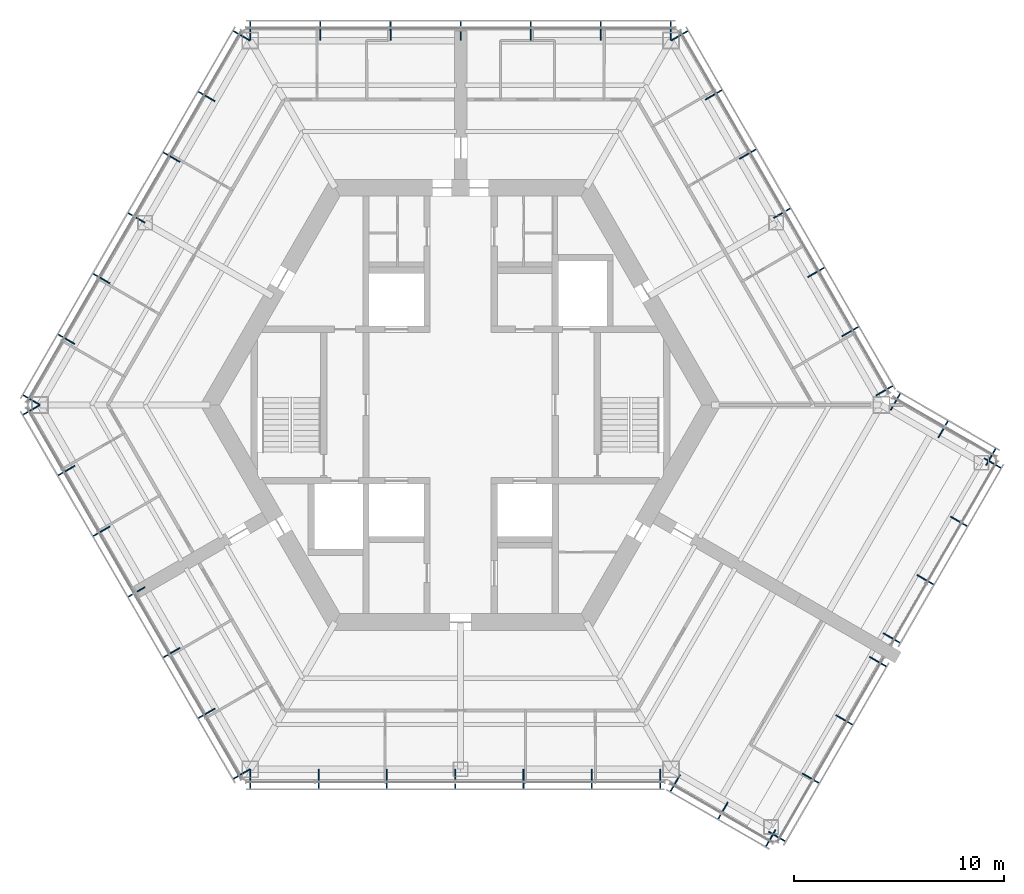
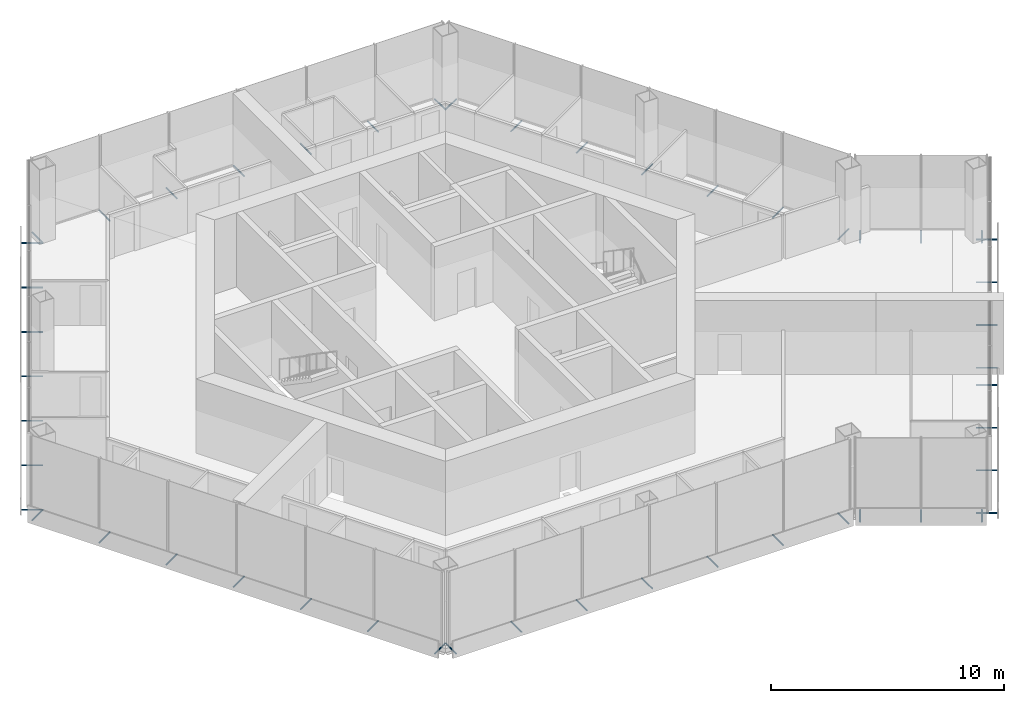
# One storey, part 11 of 13: 49 discrete accessories.
"""IFC4 building model written with IfcOpenShell, lengths in metres."""

from ifc_helpers import new_model, si_unit, direction, frame, origin, origin_2d, place, context, subcontext, project, spatial, hollow_circle, extrude, material, material_profile, profile_set, type_object, element, save


model = new_model("IFC4")

# Units and contexts
model_context = context("Model", 3, precision=1e-05, world=origin(), true_north=direction((0.0, 1.0)))
body_context = subcontext(model_context, "Body", "Model", "MODEL_VIEW")
ifc_project = project(units=[si_unit("LENGTHUNIT", "METRE"), si_unit("AREAUNIT", "SQUARE_METRE"), si_unit("VOLUMEUNIT", "CUBIC_METRE"), si_unit("PLANEANGLEUNIT", "RADIAN"), si_unit("MASSUNIT", "GRAM", prefix="KILO")], contexts=[model_context])

# Site, building, storey
site_placement = place(None, origin())
site = spatial("IfcSite", under=ifc_project, at=site_placement, CompositionType="ELEMENT")
building_placement = place(site_placement, origin())
building = spatial("IfcBuilding", under=site, at=building_placement, Name="Kasaneha Research Tower", CompositionType="ELEMENT")
storey_placement = place(building_placement, frame((0.0, 0.0, 298.60009765625)))
storey = spatial("IfcBuildingStorey", under=building, at=storey_placement, Name="L75", CompositionType="ELEMENT", Elevation=298.60009765625)

# Discrete accessories
ifc_material = material(Name="Steel STK400", Category="steel")
ifc_material_profile = material_profile(ifc_material, hollow_circle(Radius=0.0380859375, WallThickness=0.00390625, at=origin_2d()), Name="CHS-76.3x4.0")
ifc_profile_set = profile_set([ifc_material_profile], Name="Steel STK400")
discrete_accessory_type = type_object("IfcDiscreteAccessoryType", Name="Screen bracket CHS-76.3x4.0", PredefinedType="BRACKET", material=ifc_profile_set)
for number, where, z_axis, x_axis, name in (
    (1, (19.74462890625, 0.4423828125, -0.300048828125), (0.866013213425, 0.500021113727, 0.0), (-0.500021113727, 0.866013213425, 0.0), "Screen bracket 1"),
    (2, (18.120849609375, 3.2548828125, -0.300048828125), (0.866013213425, 0.500021113727, 0.0), (-0.500021113727, 0.866013213425, 0.0), "Screen bracket 2"),
    (3, (16.4970703125, 6.0673828125, -0.300048828125), (0.866013213425, 0.500021113727, 0.0), (-0.500021113727, 0.866013213425, 0.0), "Screen bracket 3"),
    (4, (14.873291015625, 8.8798828125, -0.300048828125), (0.866013213425, 0.500021113727, 0.0), (-0.500021113727, 0.866013213425, 0.0), "Screen bracket 4"),
    (5, (13.24951171875, 11.6923828125, -0.300048828125), (0.866013213425, 0.500021113727, 0.0), (-0.500021113727, 0.866013213425, 0.0), "Screen bracket 5"),
):
    element("IfcDiscreteAccessory", number, at=place(storey_placement, frame(where, z_axis=z_axis, x_axis=x_axis)), inside=storey, type_object=discrete_accessory_type, Name=name, PredefinedType="BRACKET", context=body_context, shape_type="SweptSolid", body=[
        extrude(hollow_circle(Radius=0.0380859375, WallThickness=0.00390625, at=origin_2d()), origin(), (0.0, 0.0, 1.0), 0.919921875),
    ])
for number, where, z_axis, x_axis, name in (
    (6, (11.62548828125, 14.5048828125, -0.300048828125), (0.866079547155, 0.499906209203, 0.0), (-0.499906209203, 0.866079547155, 0.0), "Screen bracket 6"),
    (7, (10.001708984375, 17.3173828125, -0.300048828125), (0.866079547155, 0.499906209203, 0.0), (-0.499906209203, 0.866079547155, 0.0), "Screen bracket 7"),
):
    element("IfcDiscreteAccessory", number, at=place(storey_placement, frame(where, z_axis=z_axis, x_axis=x_axis)), inside=storey, type_object=discrete_accessory_type, Name=name, PredefinedType="BRACKET", context=body_context, shape_type="SweptSolid", body=[
        extrude(hollow_circle(Radius=0.0380859375, WallThickness=0.00390625, at=origin_2d()), origin(), (0.0, 0.0, 1.0), 0.920166015625),
    ])
for number, where, z_axis, x_axis, name in (
    (8, (9.996337890625, 17.320556640625, -0.300048828125), (0.0, 1.0, 0.0), (-1.0, 0.0, 0.0), "Screen bracket 1"),
    (9, (6.664306640625, 17.320556640625, -0.300048828125), (0.0, 1.0, 0.0), (-1.0, 0.0, 0.0), "Screen bracket 2"),
    (10, (3.33203125, 17.320556640625, -0.300048828125), (0.0, 1.0, 0.0), (-1.0, 0.0, 0.0), "Screen bracket 3"),
    (11, (0.0, 17.320556640625, -0.300048828125), (0.0, 1.0, 0.0), (-1.0, 0.0, 0.0), "Screen bracket 4"),
    (12, (-3.33203125, 17.320556640625, -0.300048828125), (0.0, 1.0, 0.0), (-1.0, 0.0, 0.0), "Screen bracket 5"),
    (13, (-6.664306640625, 17.320556640625, -0.300048828125), (0.0, 1.0, 0.0), (-1.0, 0.0, 0.0), "Screen bracket 6"),
    (14, (-9.996337890625, 17.320556640625, -0.300048828125), (0.0, 1.0, 0.0), (-1.0, 0.0, 0.0), "Screen bracket 7"),
):
    element("IfcDiscreteAccessory", number, at=place(storey_placement, frame(where, z_axis=z_axis, x_axis=x_axis)), inside=storey, type_object=discrete_accessory_type, Name=name, PredefinedType="BRACKET", context=body_context, shape_type="SweptSolid", body=[
        extrude(hollow_circle(Radius=0.0380859375, WallThickness=0.00390625, at=origin_2d()), origin(), (0.0, 0.0, 1.0), 0.919921875),
    ])
discrete_accessory_1_placement = place(storey_placement, frame((-10.001708984375, 17.3173828125, -0.300048828125), z_axis=(-0.866079547155, 0.499906209203, 0.0), x_axis=(-0.499906209203, -0.866079547155, 0.0)))
element("IfcDiscreteAccessory", 15, at=discrete_accessory_1_placement, inside=storey, type_object=discrete_accessory_type, Name="Screen bracket 1", PredefinedType="BRACKET", context=body_context, shape_type="SweptSolid", body=[
    extrude(hollow_circle(Radius=0.0380859375, WallThickness=0.00390625, at=origin_2d()), origin(), (0.0, 0.0, 1.0), 0.920166015625),
])
for number, where, z_axis, x_axis, name in (
    (16, (-11.66796875, 14.431640625, -0.300048828125), (-0.866013213425, 0.500021113727, 0.0), (-0.500021113727, -0.866013213425, 0.0), "Screen bracket 2"),
    (17, (-13.333984375, 11.5458984375, -0.300048828125), (-0.866013213425, 0.500021113727, 0.0), (-0.500021113727, -0.866013213425, 0.0), "Screen bracket 3"),
    (18, (-15.0, 8.66015625, -0.300048828125), (-0.865898279276, 0.500220121494, 0.0), (-0.500220121494, -0.865898279276, 0.0), "Screen bracket 4"),
):
    element("IfcDiscreteAccessory", number, at=place(storey_placement, frame(where, z_axis=z_axis, x_axis=x_axis)), inside=storey, type_object=discrete_accessory_type, Name=name, PredefinedType="BRACKET", context=body_context, shape_type="SweptSolid", body=[
        extrude(hollow_circle(Radius=0.0380859375, WallThickness=0.00390625, at=origin_2d()), origin(), (0.0, 0.0, 1.0), 0.919921875),
    ])
for number, where, z_axis, x_axis, name in (
    (19, (-16.666015625, 5.774658203125, -0.300048828125), (-0.866079547155, 0.499906209203, 0.0), (-0.499906209203, -0.866079547155, 0.0), "Screen bracket 5"),
    (20, (-18.33203125, 2.888916015625, -0.300048828125), (-0.866079547155, 0.499906209203, 0.0), (-0.499906209203, -0.866079547155, 0.0), "Screen bracket 6"),
):
    element("IfcDiscreteAccessory", number, at=place(storey_placement, frame(where, z_axis=z_axis, x_axis=x_axis)), inside=storey, type_object=discrete_accessory_type, Name=name, PredefinedType="BRACKET", context=body_context, shape_type="SweptSolid", body=[
        extrude(hollow_circle(Radius=0.0380859375, WallThickness=0.00390625, at=origin_2d()), origin(), (0.0, 0.0, 1.0), 0.920166015625),
    ])
for number, where, z_axis, x_axis, name in (
    (21, (-19.998291015625, 0.003173828125, -0.300048828125), (-0.866013213425, 0.500021113727, 0.0), (-0.500021113727, -0.866013213425, 0.0), "Screen bracket 7"),
    (22, (-19.998291015625, -0.003173828125, -0.300048828125), (-0.866013213425, -0.500021113727, 0.0), (0.500021113727, -0.866013213425, 0.0), "Screen bracket 1"),
):
    element("IfcDiscreteAccessory", number, at=place(storey_placement, frame(where, z_axis=z_axis, x_axis=x_axis)), inside=storey, type_object=discrete_accessory_type, Name=name, PredefinedType="BRACKET", context=body_context, shape_type="SweptSolid", body=[
        extrude(hollow_circle(Radius=0.0380859375, WallThickness=0.00390625, at=origin_2d()), origin(), (0.0, 0.0, 1.0), 0.919921875),
    ])
for number, where, z_axis, x_axis, name in (
    (23, (-18.33203125, -2.888916015625, -0.300048828125), (-0.866079547155, -0.499906209203, 0.0), (0.499906209203, -0.866079547155, 0.0), "Screen bracket 2"),
    (24, (-16.666015625, -5.774658203125, -0.300048828125), (-0.866079547155, -0.499906209203, 0.0), (0.499906209203, -0.866079547155, 0.0), "Screen bracket 3"),
):
    element("IfcDiscreteAccessory", number, at=place(storey_placement, frame(where, z_axis=z_axis, x_axis=x_axis)), inside=storey, type_object=discrete_accessory_type, Name=name, PredefinedType="BRACKET", context=body_context, shape_type="SweptSolid", body=[
        extrude(hollow_circle(Radius=0.0380859375, WallThickness=0.00390625, at=origin_2d()), origin(), (0.0, 0.0, 1.0), 0.920166015625),
    ])
for number, where, z_axis, x_axis, name in (
    (25, (-15.0, -8.66015625, -0.300048828125), (-0.865898279276, -0.500220121494, 0.0), (0.500220121494, -0.865898279276, 0.0), "Screen bracket 4"),
    (26, (-13.333984375, -11.5458984375, -0.300048828125), (-0.866013213425, -0.500021113727, 0.0), (0.500021113727, -0.866013213425, 0.0), "Screen bracket 5"),
    (27, (-11.66796875, -14.431640625, -0.300048828125), (-0.866013213425, -0.500021113727, 0.0), (0.500021113727, -0.866013213425, 0.0), "Screen bracket 6"),
):
    element("IfcDiscreteAccessory", number, at=place(storey_placement, frame(where, z_axis=z_axis, x_axis=x_axis)), inside=storey, type_object=discrete_accessory_type, Name=name, PredefinedType="BRACKET", context=body_context, shape_type="SweptSolid", body=[
        extrude(hollow_circle(Radius=0.0380859375, WallThickness=0.00390625, at=origin_2d()), origin(), (0.0, 0.0, 1.0), 0.919921875),
    ])
discrete_accessory_2_placement = place(storey_placement, frame((-10.001708984375, -17.3173828125, -0.300048828125), z_axis=(-0.866079547155, -0.499906209203, 0.0), x_axis=(0.499906209203, -0.866079547155, 0.0)))
element("IfcDiscreteAccessory", 28, at=discrete_accessory_2_placement, inside=storey, type_object=discrete_accessory_type, Name="Screen bracket 7", PredefinedType="BRACKET", context=body_context, shape_type="SweptSolid", body=[
    extrude(hollow_circle(Radius=0.0380859375, WallThickness=0.00390625, at=origin_2d()), origin(), (0.0, 0.0, 1.0), 0.920166015625),
])
for number, where, z_axis, x_axis, name in (
    (29, (-9.996337890625, -17.320556640625, -0.300048828125), (0.0, -1.0, 0.0), (1.0, 0.0, 0.0), "Screen bracket 1"),
    (30, (-6.748779296875, -17.320556640625, -0.300048828125), (0.0, -1.0, 0.0), (1.0, 0.0, 0.0), "Screen bracket 2"),
    (31, (-3.501220703125, -17.320556640625, -0.300048828125), (0.0, -1.0, 0.0), (1.0, 0.0, 0.0), "Screen bracket 3"),
    (32, (-0.253662109375, -17.320556640625, -0.300048828125), (0.0, -1.0, 0.0), (1.0, 0.0, 0.0), "Screen bracket 4"),
    (33, (2.993896484375, -17.320556640625, -0.300048828125), (0.0, -1.0, 0.0), (1.0, 0.0, 0.0), "Screen bracket 5"),
    (34, (6.24169921875, -17.320556640625, -0.300048828125), (0.0, -1.0, 0.0), (1.0, 0.0, 0.0), "Screen bracket 6"),
    (35, (9.4892578125, -17.320556640625, -0.300048828125), (0.0, -1.0, 0.0), (1.0, 0.0, 0.0), "Screen bracket 7"),
    (36, (10.4423828125, -17.575927734375, -0.300048828125), (-0.500021113727, -0.866013213425, 0.0), (0.866013213425, -0.500021113727, 0.0), "Screen bracket 1"),
    (37, (12.7109375, -18.8857421875, -0.300048828125), (-0.500021113727, -0.866013213425, 0.0), (0.866013213425, -0.500021113727, 0.0), "Screen bracket 2"),
    (38, (14.979736328125, -20.195556640625, -0.300048828125), (-0.500220121494, -0.865898279276, 0.0), (0.865898279276, -0.500220121494, 0.0), "Screen bracket 3"),
    (39, (14.63818359375, -20.287109375, -0.300048828125), (0.866013213425, -0.500021113727, 0.0), (0.500021113727, 0.866013213425, 0.0), "Screen bracket 1"),
):
    element("IfcDiscreteAccessory", number, at=place(storey_placement, frame(where, z_axis=z_axis, x_axis=x_axis)), inside=storey, type_object=discrete_accessory_type, Name=name, PredefinedType="BRACKET", context=body_context, shape_type="SweptSolid", body=[
        extrude(hollow_circle(Radius=0.0380859375, WallThickness=0.00390625, at=origin_2d()), origin(), (0.0, 0.0, 1.0), 0.919921875),
    ])
discrete_accessory_3_placement = place(storey_placement, frame((16.238037109375, -17.515625, -0.300048828125), z_axis=(0.865964657013, -0.500105201737, 0.0), x_axis=(0.500105201737, 0.865964657013, 0.0)))
element("IfcDiscreteAccessory", 40, at=discrete_accessory_3_placement, inside=storey, type_object=discrete_accessory_type, Name="Screen bracket 2", PredefinedType="BRACKET", context=body_context, shape_type="SweptSolid", body=[
    extrude(hollow_circle(Radius=0.0380859375, WallThickness=0.00390625, at=origin_2d()), origin(), (0.0, 0.0, 1.0), 0.920166015625),
])
for number, where, z_axis, x_axis, name in (
    (41, (17.838134765625, -14.744384765625, -0.300048828125), (0.866013213425, -0.500021113727, 0.0), (0.500021113727, 0.866013213425, 0.0), "Screen bracket 3"),
    (42, (19.438232421875, -11.97314453125, -0.300048828125), (0.866013213425, -0.500021113727, 0.0), (0.500021113727, 0.866013213425, 0.0), "Screen bracket 4"),
    (43, (20.088134765625, -10.847412109375, -0.300048828125), (0.866013213425, -0.500021113727, 0.0), (0.500021113727, 0.866013213425, 0.0), "Screen bracket 1"),
    (44, (21.688232421875, -8.076171875, -0.300048828125), (0.866013213425, -0.500021113727, 0.0), (0.500021113727, 0.866013213425, 0.0), "Screen bracket 2"),
):
    element("IfcDiscreteAccessory", number, at=place(storey_placement, frame(where, z_axis=z_axis, x_axis=x_axis)), inside=storey, type_object=discrete_accessory_type, Name=name, PredefinedType="BRACKET", context=body_context, shape_type="SweptSolid", body=[
        extrude(hollow_circle(Radius=0.0380859375, WallThickness=0.00390625, at=origin_2d()), origin(), (0.0, 0.0, 1.0), 0.919921875),
    ])
discrete_accessory_4_placement = place(storey_placement, frame((23.2880859375, -5.3046875, -0.300048828125), z_axis=(0.865964657013, -0.500105201737, 0.0), x_axis=(0.500105201737, 0.865964657013, 0.0)))
element("IfcDiscreteAccessory", 45, at=discrete_accessory_4_placement, inside=storey, type_object=discrete_accessory_type, Name="Screen bracket 3", PredefinedType="BRACKET", context=body_context, shape_type="SweptSolid", body=[
    extrude(hollow_circle(Radius=0.0380859375, WallThickness=0.00390625, at=origin_2d()), origin(), (0.0, 0.0, 1.0), 0.920166015625),
])
for number, where, z_axis, x_axis, name in (
    (46, (24.88818359375, -2.533447265625, -0.300048828125), (0.866013213425, -0.500021113727, 0.0), (0.500021113727, 0.866013213425, 0.0), "Screen bracket 4"),
    (47, (24.979736328125, -2.875, -0.300048828125), (0.500021113727, 0.866013213425, 0.0), (-0.866013213425, 0.500021113727, 0.0), "Screen bracket 1"),
    (48, (22.7109375, -1.565185546875, -0.300048828125), (0.500021113727, 0.866013213425, 0.0), (-0.866013213425, 0.500021113727, 0.0), "Screen bracket 2"),
    (49, (20.4423828125, -0.25537109375, -0.300048828125), (0.500021113727, 0.866013213425, 0.0), (-0.866013213425, 0.500021113727, 0.0), "Screen bracket 3"),
):
    element("IfcDiscreteAccessory", number, at=place(storey_placement, frame(where, z_axis=z_axis, x_axis=x_axis)), inside=storey, type_object=discrete_accessory_type, Name=name, PredefinedType="BRACKET", context=body_context, shape_type="SweptSolid", body=[
        extrude(hollow_circle(Radius=0.0380859375, WallThickness=0.00390625, at=origin_2d()), origin(), (0.0, 0.0, 1.0), 0.919921875),
    ])

save(model, "model.ifc")
